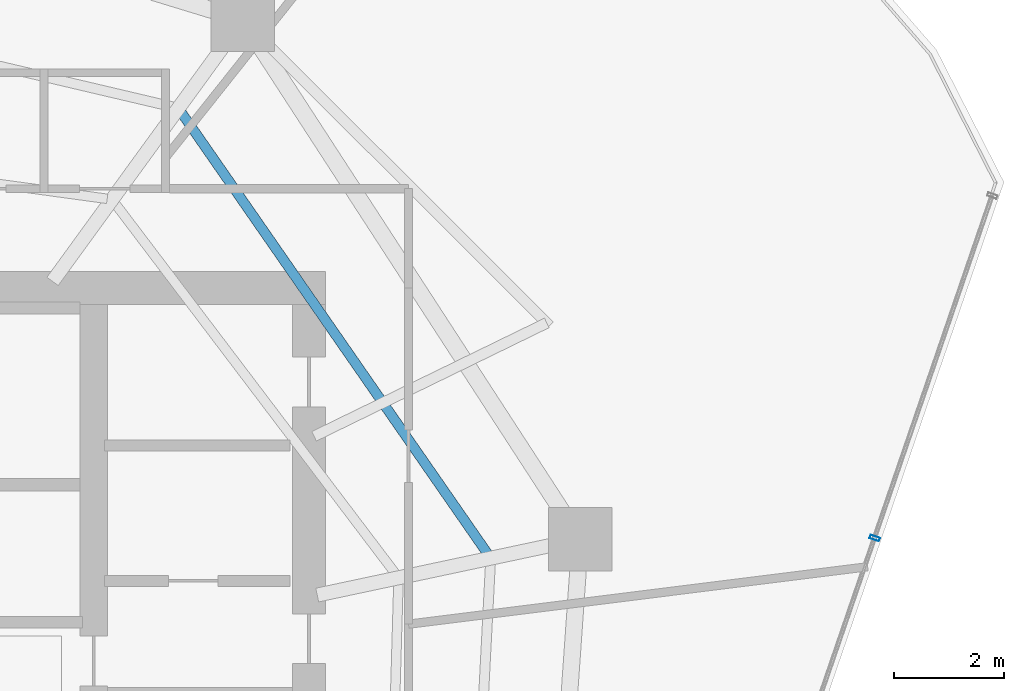
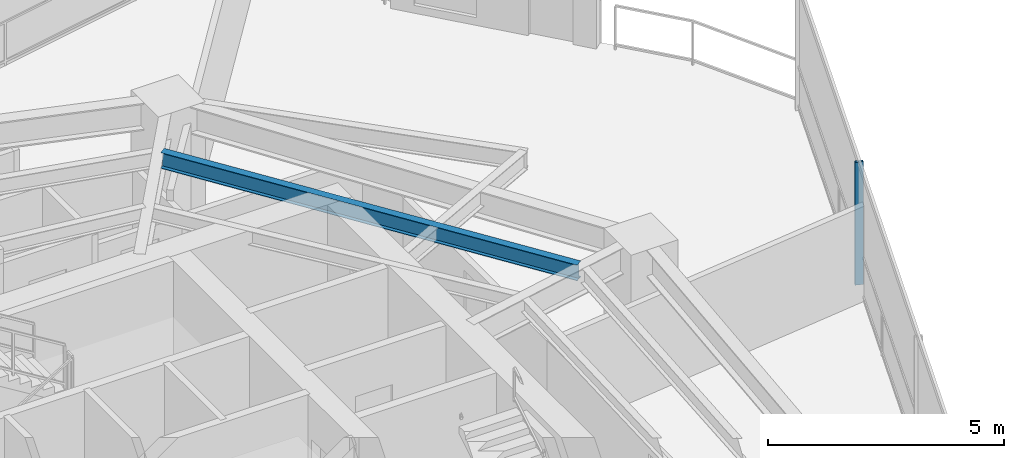
# One storey, part 14 of 27: 1 beam, 1 member, 1 element without a shape of its own.
"""IFC4 building model written with IfcOpenShell, lengths in metres."""

from ifc_helpers import new_model, si_unit, direction, frame, origin, origin_2d, place, context, subcontext, project, spatial, hollow_rectangle, i_section, extrude, material, layer, layer_set, material_profile, profile_set, type_object, element, aggregate, save


model = new_model("IFC4")

# Units and contexts
model_context = context("Model", 3, precision=1e-05, world=origin(), true_north=direction((0.0, 1.0)))
body_context = subcontext(model_context, "Body", "Model", "MODEL_VIEW")
ifc_project = project(units=[si_unit("LENGTHUNIT", "METRE"), si_unit("AREAUNIT", "SQUARE_METRE"), si_unit("VOLUMEUNIT", "CUBIC_METRE"), si_unit("PLANEANGLEUNIT", "RADIAN"), si_unit("MASSUNIT", "GRAM", prefix="KILO")], contexts=[model_context])

# Site, building, storey
site_placement = place(None, origin())
site = spatial("IfcSite", under=ifc_project, at=site_placement, CompositionType="ELEMENT")
building_placement = place(site_placement, origin())
building = spatial("IfcBuilding", under=site, at=building_placement, Name="Qarnah Convention Tower", CompositionType="ELEMENT")
storey_placement = place(building_placement, frame((0.0, 0.0, 107.39990234375)))
storey = spatial("IfcBuildingStorey", under=building, at=storey_placement, Name="L28", CompositionType="ELEMENT", Elevation=107.39990234375)

# Beam
ifc_material_1 = material(Name="Structural steel S355JR", Category="steel")
ifc_material_profile_1 = material_profile(ifc_material_1, i_section(OverallWidth=0.177978515625, OverallDepth=0.407958984375, WebThickness=0.008056640625, FlangeThickness=0.012939453125, at=origin_2d()), Name="W410X60")
ifc_profile_set_1 = profile_set([ifc_material_profile_1], Name="Structural steel S355JR")
beam_type = type_object("IfcBeamType", Name="BM-JST-W410", PredefinedType="JOIST", material=ifc_profile_set_1)
beam_placement = place(storey_placement, frame((50.8369140625, 29.384033203125, 2.966064453125), z_axis=(-0.57026424233, 0.821461316144, 0.0), x_axis=(-0.821461316144, -0.57026424233, 0.0)))
element("IfcBeam", 1, at=beam_placement, inside=storey, type_object=beam_type, Name="L28 joist BM-L28-SJST-01", PredefinedType="JOIST", context=body_context, shape_type="SweptSolid", body=[
    extrude(i_section(OverallWidth=0.177978515625, OverallDepth=0.407958984375, WebThickness=0.008056640625, FlangeThickness=0.012939453125, at=origin_2d()), origin(), (0.0, 0.0, 1.0), 9.737548828125),
])

# Curtain wall, member
ifc_material_2 = material(Name="Tempered Low-E dark glass", Category="glass")
ifc_layer = layer(ifc_material_2, 0.169921875)
ifc_layer_set = layer_set([ifc_layer], Name="Tempered Low-E dark glass")
curtain_wall_type = type_object("IfcCurtainWallType", Name="CWS-02", PredefinedType="NOTDEFINED", material=ifc_layer_set)
curtain_wall_placement = place(storey_placement, origin())
curtain_wall = element("IfcCurtainWall", 2, at=curtain_wall_placement, inside=storey, type_object=curtain_wall_type, Name="L28 unitised curtain wall CW-L28-F2", PredefinedType="NOTDEFINED")
ifc_material_3 = material(Name="Black anodised aluminium", Category="aluminium")
ifc_material_profile_2 = material_profile(ifc_material_3, hollow_rectangle(XDim=0.06494140625, YDim=0.179931640625, WallThickness=0.00390625, at=origin_2d()), Name="MUL-65X180")
ifc_profile_set_2 = profile_set([ifc_material_profile_2], Name="Black anodised aluminium")
member_type = type_object("IfcMemberType", Name="MUL-T2", PredefinedType="MULLION", material=ifc_profile_set_2)
member_placement = place(storey_placement, frame((57.84033203125, 29.674072265625, 0.0), z_axis=(0.0, 0.0, 1.0), x_axis=(-0.324901541187, -0.94574784617, 0.0)))
member = element("IfcMember", 3, at=member_placement, type_object=member_type, Name="CW-L28-F2 mullion 2", PredefinedType="MULLION", context=body_context, shape_type="SweptSolid", body=[
    extrude(hollow_rectangle(XDim=0.06494140625, YDim=0.179931640625, WallThickness=0.00390625, at=origin_2d()), origin(), (0.0, 0.0, 1.0), 3.170166015625),
])
aggregate(curtain_wall, [member])

save(model, "model.ifc")
